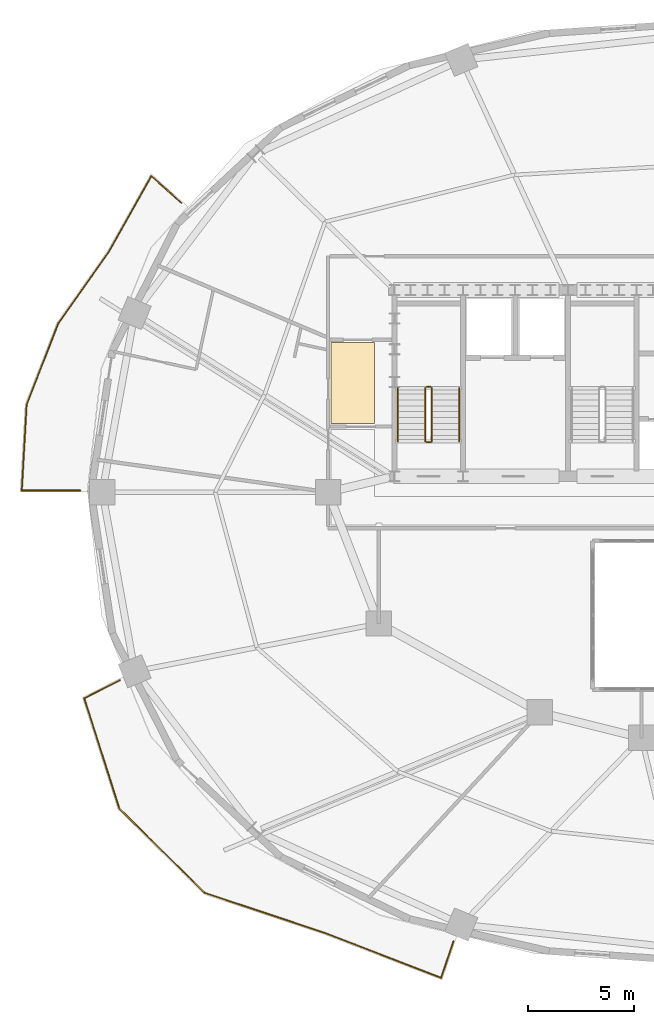
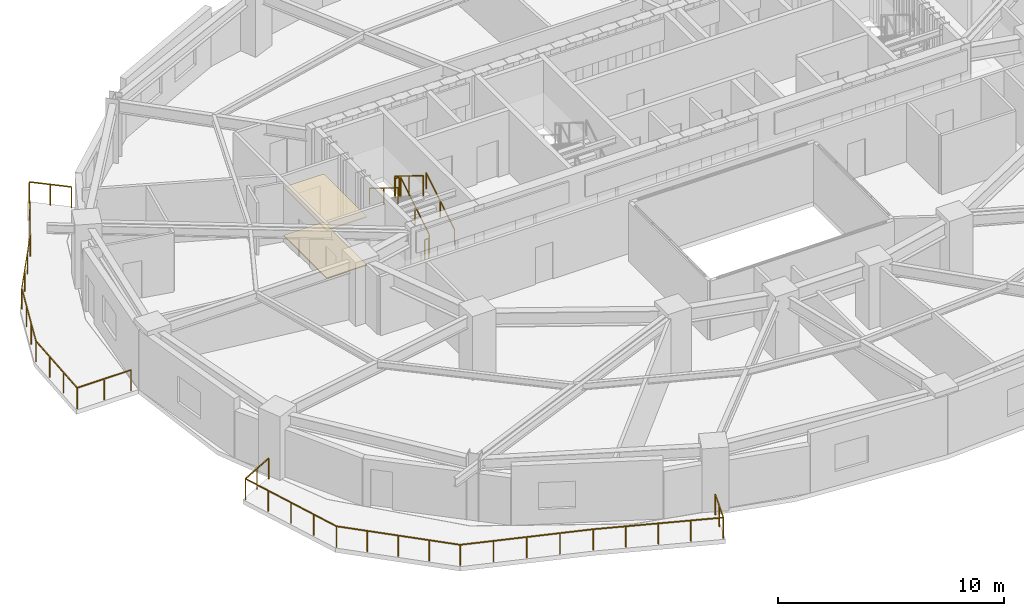
# One storey, part 10 of 13: 8 railings, 2 coverings.
"""IFC4 building model written with IfcOpenShell, lengths in metres."""

from ifc_helpers import new_model, si_unit, direction, frame, origin, origin_2d, place, context, subcontext, project, spatial, polyline, rectangle, outline, extrude, material, layer, layer_set, type_object, element, save


model = new_model("IFC4")

# Units and contexts
model_context = context("Model", 3, precision=1e-05, world=origin(), true_north=direction((0.0, 1.0)))
body_context = subcontext(model_context, "Body", "Model", "MODEL_VIEW")
ifc_project = project(units=[si_unit("LENGTHUNIT", "METRE"), si_unit("AREAUNIT", "SQUARE_METRE"), si_unit("VOLUMEUNIT", "CUBIC_METRE"), si_unit("PLANEANGLEUNIT", "RADIAN"), si_unit("MASSUNIT", "GRAM", prefix="KILO")], contexts=[model_context])

# Site, building, storey
site_placement = place(None, origin())
site = spatial("IfcSite", under=ifc_project, at=site_placement, CompositionType="ELEMENT")
building_placement = place(site_placement, origin())
building = spatial("IfcBuilding", under=site, at=building_placement, Name="Haldorwick Loom Tower", CompositionType="ELEMENT")
storey_placement = place(building_placement, frame((0.0, 0.0, 120.800048828125)))
storey = spatial("IfcBuildingStorey", under=building, at=storey_placement, Name="L32", CompositionType="ELEMENT", Elevation=120.800048828125)

# Coverings
ifc_material_1 = material(Name="Mineral Fibre Acoustic Ceiling Tile")
ifc_layer_1 = layer(ifc_material_1, 0.054931640625, Name="Mineral Fibre Acoustic Ceiling Tile")
ifc_layer_set_1 = layer_set([ifc_layer_1], Name="Mineral Fibre Acoustic Ceiling Tile")
covering_type_1 = type_object("IfcCoveringType", Name="ARC-COV-CEIL2", PredefinedType="CEILING", material=ifc_layer_set_1)
covering_1_placement = place(storey_placement, frame((0.0, 0.0, 2.594970703125)))
element("IfcCovering", 1, at=covering_1_placement, inside=storey, type_object=covering_type_1, Name="L32 Acoustic Suspended Ceiling 2", PredefinedType="CEILING", context=body_context, shape_type="SweptSolid", body=[
    extrude(outline(polyline([(21.0, 29.239990234375), (21.0, 33.06005859375), (18.93994140625, 33.06005859375), (18.93994140625, 29.239990234375), (21.0, 29.239990234375)])), origin(), (0.0, 0.0, 1.0), 0.054931640625),
])
ifc_material_2 = material(Name="Polished Aggregate Terrazzo Finish")
ifc_layer_2 = layer(ifc_material_2, 0.044921875, Name="Polished Aggregate Terrazzo Finish")
ifc_layer_set_2 = layer_set([ifc_layer_2], Name="Polished Aggregate Terrazzo Finish")
covering_type_2 = type_object("IfcCoveringType", Name="ARC-COV-FLOOR2", PredefinedType="FLOORING", material=ifc_layer_set_2)
covering_2_placement = place(storey_placement, origin())
element("IfcCovering", 2, at=covering_2_placement, inside=storey, type_object=covering_type_2, Name="L32 Floor Finish 2", PredefinedType="FLOORING", context=body_context, shape_type="SweptSolid", body=[
    extrude(outline(polyline([(21.0, 29.239990234375), (21.0, 33.06005859375), (18.93994140625, 33.06005859375), (18.93994140625, 29.239990234375), (21.0, 29.239990234375)])), origin(), (0.0, 0.0, 1.0), 0.044921875),
])

# Railings
ifc_material_3 = material(Name="Galvanized Steel CSA G40.21 350W", Category="steel")
railing_type_1 = type_object("IfcRailingType", Name="ARC-RLG-BAL115", PredefinedType="BALUSTRADE", material=ifc_material_3)
railing_1_placement = place(storey_placement, frame((24.726806640625, 4.806396484375, 0.0)))
element("IfcRailing", 3, at=railing_1_placement, inside=storey, type_object=railing_type_1, Name="L32 Outdoor Terrace Guardrail SLB-L32-BAL_SW-1", PredefinedType="BALUSTRADE", context=body_context, shape_type="SweptSolid", body=[
    extrude(rectangle(XDim=0.048095703125, YDim=0.048095703125, at=origin_2d()), frame((0.0, 0.0, 1.1259765625), z_axis=(-0.320417931945, -0.94727627907, 0.0), x_axis=(0.94727627907, -0.320417931945, 0.0)), (0.0, 0.0, 1.0), 1.833984375),
    extrude(rectangle(XDim=0.048095703125, YDim=0.048095703125, at=origin_2d()), frame((-0.587646484375, -1.7373046875, 1.1259765625), z_axis=(-0.932882459641, 0.360180949654, 0.0), x_axis=(-0.360180949654, -0.932882459641, 0.0)), (0.0, 0.0, 1.0), 5.838134765625),
    extrude(rectangle(XDim=0.048095703125, YDim=0.048095703125, at=origin_2d()), frame((-6.033935546875, 0.365478515625, 1.1259765625), z_axis=(-0.948683298051, 0.316227766017, 0.0), x_axis=(-0.316227766017, -0.948683298051, 0.0)), (0.0, 0.0, 1.0), 0.00390625),
    extrude(rectangle(XDim=0.048095703125, YDim=0.048095703125, at=origin_2d()), frame((-6.03759765625, 0.36669921875, 1.1259765625), z_axis=(-0.948504711831, 0.316763021254, 0.0), x_axis=(-0.316763021254, -0.948504711831, 0.0)), (0.0, 0.0, 1.0), 6.020263671875),
    extrude(rectangle(XDim=0.048095703125, YDim=0.048095703125, at=origin_2d()), frame((-11.747802734375, 2.273681640625, 1.1259765625), z_axis=(-0.711398400185, 0.702788955671, 0.0), x_axis=(-0.702788955671, -0.711398400185, 0.0)), (0.0, 0.0, 1.0), 5.67138671875),
    extrude(rectangle(XDim=0.048095703125, YDim=0.048095703125, at=origin_2d()), frame((-15.782470703125, 6.259521484375, 1.1259765625), z_axis=(-0.303362527598, 0.952875215781, 0.0), x_axis=(-0.952875215781, -0.303362527598, 0.0)), (0.0, 0.0, 1.0), 5.454833984375),
    extrude(rectangle(XDim=0.048095703125, YDim=0.048095703125, at=origin_2d()), frame((-17.437255859375, 11.457275390625, 1.1259765625), z_axis=(0.890778954109, 0.454436854708, 0.0), x_axis=(-0.454436854708, 0.890778954109, 0.0)), (0.0, 0.0, 1.0), 1.888916015625),
    extrude(rectangle(XDim=0.0419921875, YDim=0.0419921875, at=origin_2d()), origin(), (0.0, 0.0, 1.0), 1.101806640625),
    extrude(rectangle(XDim=0.0419921875, YDim=0.0419921875, at=origin_2d()), frame((-0.2939453125, -0.86865234375, 0.0)), (0.0, 0.0, 1.0), 1.101806640625),
    extrude(rectangle(XDim=0.0419921875, YDim=0.0419921875, at=origin_2d()), frame((-0.587646484375, -1.7373046875, 0.0)), (0.0, 0.0, 1.0), 1.101806640625),
    extrude(rectangle(XDim=0.0419921875, YDim=0.0419921875, at=origin_2d()), frame((-1.94921875, -1.211669921875, 0.0)), (0.0, 0.0, 1.0), 1.101806640625),
    extrude(rectangle(XDim=0.0419921875, YDim=0.0419921875, at=origin_2d()), frame((-3.310791015625, -0.68603515625, 0.0)), (0.0, 0.0, 1.0), 1.101806640625),
    extrude(rectangle(XDim=0.0419921875, YDim=0.0419921875, at=origin_2d()), frame((-4.67236328125, -0.16015625, 0.0)), (0.0, 0.0, 1.0), 1.101806640625),
    extrude(rectangle(XDim=0.0419921875, YDim=0.0419921875, at=origin_2d()), frame((-6.033935546875, 0.365478515625, 0.0)), (0.0, 0.0, 1.0), 1.101806640625),
    extrude(rectangle(XDim=0.0419921875, YDim=0.0419921875, at=origin_2d()), frame((-7.465087890625, 0.843505859375, 0.0)), (0.0, 0.0, 1.0), 1.101806640625),
    extrude(rectangle(XDim=0.0419921875, YDim=0.0419921875, at=origin_2d()), frame((-8.892578125, 1.3203125, 0.0)), (0.0, 0.0, 1.0), 1.101806640625),
    extrude(rectangle(XDim=0.0419921875, YDim=0.0419921875, at=origin_2d()), frame((-10.3203125, 1.796875, 0.0)), (0.0, 0.0, 1.0), 1.101806640625),
    extrude(rectangle(XDim=0.0419921875, YDim=0.0419921875, at=origin_2d()), frame((-11.747802734375, 2.273681640625, 0.0)), (0.0, 0.0, 1.0), 1.101806640625),
    extrude(rectangle(XDim=0.0419921875, YDim=0.0419921875, at=origin_2d()), frame((-12.75634765625, 3.27001953125, 0.0)), (0.0, 0.0, 1.0), 1.101806640625),
    extrude(rectangle(XDim=0.0419921875, YDim=0.0419921875, at=origin_2d()), frame((-13.76513671875, 4.2666015625, 0.0)), (0.0, 0.0, 1.0), 1.101806640625),
    extrude(rectangle(XDim=0.0419921875, YDim=0.0419921875, at=origin_2d()), frame((-14.77392578125, 5.26318359375, 0.0)), (0.0, 0.0, 1.0), 1.101806640625),
    extrude(rectangle(XDim=0.0419921875, YDim=0.0419921875, at=origin_2d()), frame((-15.782470703125, 6.259521484375, 0.0)), (0.0, 0.0, 1.0), 1.101806640625),
    extrude(rectangle(XDim=0.0419921875, YDim=0.0419921875, at=origin_2d()), frame((-16.1962890625, 7.55908203125, 0.0)), (0.0, 0.0, 1.0), 1.101806640625),
    extrude(rectangle(XDim=0.0419921875, YDim=0.0419921875, at=origin_2d()), frame((-16.60986328125, 8.8583984375, 0.0)), (0.0, 0.0, 1.0), 1.101806640625),
    extrude(rectangle(XDim=0.0419921875, YDim=0.0419921875, at=origin_2d()), frame((-17.0234375, 10.15771484375, 0.0)), (0.0, 0.0, 1.0), 1.101806640625),
    extrude(rectangle(XDim=0.0419921875, YDim=0.0419921875, at=origin_2d()), frame((-17.437255859375, 11.457275390625, 0.0)), (0.0, 0.0, 1.0), 1.101806640625),
    extrude(rectangle(XDim=0.0419921875, YDim=0.0419921875, at=origin_2d()), frame((-16.595947265625, 11.886474609375, 0.0)), (0.0, 0.0, 1.0), 1.101806640625),
    extrude(rectangle(XDim=0.0419921875, YDim=0.0419921875, at=origin_2d()), frame((-15.754638671875, 12.315673828125, 0.0)), (0.0, 0.0, 1.0), 1.101806640625),
])
railing_2_placement = place(storey_placement, frame((7.09912109375, 26.080078125, 0.0)))
element("IfcRailing", 4, at=railing_2_placement, inside=storey, type_object=railing_type_1, Name="L32 Outdoor Terrace Guardrail SLB-L32-BAL_WNW-1", PredefinedType="BALUSTRADE", context=body_context, shape_type="SweptSolid", body=[
    extrude(rectangle(XDim=0.048095703125, YDim=0.048095703125, at=origin_2d()), frame((0.0, 0.0, 1.1259765625), z_axis=(-1.0, 0.0, 0.0), x_axis=(0.0, -1.0, 0.0)), (0.0, 0.0, 1.0), 2.760498046875),
    extrude(rectangle(XDim=0.048095703125, YDim=0.048095703125, at=origin_2d()), frame((-2.760498046875, 0.0, 1.1259765625), z_axis=(0.056246298958, 0.998416923862, 0.0), x_axis=(-0.998416923862, 0.056246298958, 0.0)), (0.0, 0.0, 1.0), 4.058349609375),
    extrude(rectangle(XDim=0.048095703125, YDim=0.048095703125, at=origin_2d()), frame((-2.5322265625, 4.052001953125, 1.1259765625), z_axis=(0.362738037481, 0.931891150384, 0.0), x_axis=(-0.931891150384, 0.362738037481, 0.0)), (0.0, 0.0, 1.0), 4.118408203125),
    extrude(rectangle(XDim=0.048095703125, YDim=0.048095703125, at=origin_2d()), frame((-1.038330078125, 7.889892578125, 1.1259765625), z_axis=(0.57677905745, 0.81690018906, 0.0), x_axis=(-0.81690018906, 0.57677905745, 0.0)), (0.0, 0.0, 1.0), 4.099609375),
    extrude(rectangle(XDim=0.048095703125, YDim=0.048095703125, at=origin_2d()), frame((1.326171875, 11.23876953125, 1.1259765625), z_axis=(0.540757591313, 0.841178475377, 0.0), x_axis=(-0.841178475377, 0.540757591313, 0.0)), (0.0, 0.0, 1.0), 0.008056640625),
    extrude(rectangle(XDim=0.048095703125, YDim=0.048095703125, at=origin_2d()), frame((1.33056640625, 11.24560546875, 1.1259765625), z_axis=(0.491360253455, 0.870956429062, 0.0), x_axis=(-0.870956429062, 0.491360253455, 0.0)), (0.0, 0.0, 1.0), 4.133056640625),
    extrude(rectangle(XDim=0.048095703125, YDim=0.048095703125, at=origin_2d()), frame((3.361328125, 14.84521484375, 1.1259765625), z_axis=(0.745860425013, -0.66610226422, 0.0), x_axis=(0.66610226422, 0.745860425013, 0.0)), (0.0, 0.0, 1.0), 1.906982421875),
    extrude(rectangle(XDim=0.0419921875, YDim=0.0419921875, at=origin_2d()), origin(), (0.0, 0.0, 1.0), 1.101806640625),
    extrude(rectangle(XDim=0.0419921875, YDim=0.0419921875, at=origin_2d()), frame((-1.38037109375, 0.0, 0.0)), (0.0, 0.0, 1.0), 1.101806640625),
    extrude(rectangle(XDim=0.0419921875, YDim=0.0419921875, at=origin_2d()), frame((-2.760498046875, 0.0, 0.0)), (0.0, 0.0, 1.0), 1.101806640625),
    extrude(rectangle(XDim=0.0419921875, YDim=0.0419921875, at=origin_2d()), frame((-2.684326171875, 1.3505859375, 0.0)), (0.0, 0.0, 1.0), 1.101806640625),
    extrude(rectangle(XDim=0.0419921875, YDim=0.0419921875, at=origin_2d()), frame((-2.6083984375, 2.701416015625, 0.0)), (0.0, 0.0, 1.0), 1.101806640625),
    extrude(rectangle(XDim=0.0419921875, YDim=0.0419921875, at=origin_2d()), frame((-2.5322265625, 4.052001953125, 0.0)), (0.0, 0.0, 1.0), 1.101806640625),
    extrude(rectangle(XDim=0.0419921875, YDim=0.0419921875, at=origin_2d()), frame((-2.0341796875, 5.331298828125, 0.0)), (0.0, 0.0, 1.0), 1.101806640625),
    extrude(rectangle(XDim=0.0419921875, YDim=0.0419921875, at=origin_2d()), frame((-1.536376953125, 6.610595703125, 0.0)), (0.0, 0.0, 1.0), 1.101806640625),
    extrude(rectangle(XDim=0.0419921875, YDim=0.0419921875, at=origin_2d()), frame((-1.038330078125, 7.889892578125, 0.0)), (0.0, 0.0, 1.0), 1.101806640625),
    extrude(rectangle(XDim=0.0419921875, YDim=0.0419921875, at=origin_2d()), frame((-0.250244140625, 9.006103515625, 0.0)), (0.0, 0.0, 1.0), 1.101806640625),
    extrude(rectangle(XDim=0.0419921875, YDim=0.0419921875, at=origin_2d()), frame((0.5380859375, 10.12255859375, 0.0)), (0.0, 0.0, 1.0), 1.101806640625),
    extrude(rectangle(XDim=0.0419921875, YDim=0.0419921875, at=origin_2d()), frame((1.326171875, 11.23876953125, 0.0)), (0.0, 0.0, 1.0), 1.101806640625),
    extrude(rectangle(XDim=0.0419921875, YDim=0.0419921875, at=origin_2d()), frame((2.007568359375, 12.445556640625, 0.0)), (0.0, 0.0, 1.0), 1.101806640625),
    extrude(rectangle(XDim=0.0419921875, YDim=0.0419921875, at=origin_2d()), frame((2.684326171875, 13.645263671875, 0.0)), (0.0, 0.0, 1.0), 1.101806640625),
    extrude(rectangle(XDim=0.0419921875, YDim=0.0419921875, at=origin_2d()), frame((3.361328125, 14.84521484375, 0.0)), (0.0, 0.0, 1.0), 1.101806640625),
    extrude(rectangle(XDim=0.0419921875, YDim=0.0419921875, at=origin_2d()), frame((4.072509765625, 14.2099609375, 0.0)), (0.0, 0.0, 1.0), 1.101806640625),
    extrude(rectangle(XDim=0.0419921875, YDim=0.0419921875, at=origin_2d()), frame((4.78369140625, 13.574951171875, 0.0)), (0.0, 0.0, 1.0), 1.101806640625),
])
ifc_material_4 = material(Name="Steel CSA G40.21 350W", Category="steel")
railing_type_2 = type_object("IfcRailingType", Name="ARC-RLG-GUARD112", PredefinedType="GUARDRAIL", material=ifc_material_4)
railing_3_placement = place(storey_placement, frame((23.699951171875, 28.39990234375, 0.17236328125)))
element("IfcRailing", 5, at=railing_3_placement, inside=storey, type_object=railing_type_2, Name="L32 ST-01 stair guard 1", PredefinedType="GUARDRAIL", context=body_context, shape_type="SweptSolid", body=[
    extrude(rectangle(XDim=0.048095703125, YDim=0.048095703125, at=origin_2d()), frame((0.0, 0.0, 1.076171875), z_axis=(0.0, 0.851400495292, 0.524516154772), x_axis=(-1.0, 0.0, 0.0)), (0.0, 0.0, 1.0), 2.9599609375),
    extrude(rectangle(XDim=0.0419921875, YDim=0.0419921875, at=origin_2d()), origin(), (0.0, 0.0, 1.0), 1.052001953125),
    extrude(rectangle(XDim=0.0419921875, YDim=0.0419921875, at=origin_2d()), frame((0.0, 1.260009765625, 0.7763671875)), (0.0, 0.0, 1.0), 1.052001953125),
    extrude(rectangle(XDim=0.0419921875, YDim=0.0419921875, at=origin_2d()), frame((0.0, 2.52001953125, 1.552490234375)), (0.0, 0.0, 1.0), 1.052001953125),
])
railing_4_placement = place(storey_placement, frame((23.64990234375, 30.969970703125, 1.724853515625)))
element("IfcRailing", 6, at=railing_4_placement, inside=storey, type_object=railing_type_2, Name="L32 ST-01 stair guard 2", PredefinedType="GUARDRAIL", context=body_context, shape_type="SweptSolid", body=[
    extrude(rectangle(XDim=0.048095703125, YDim=0.048095703125, at=origin_2d()), frame((0.0, 0.0, 1.076171875), z_axis=(-1.0, 0.0, 0.0), x_axis=(0.0, -1.0, 0.0)), (0.0, 0.0, 1.0), 0.199951171875),
    extrude(rectangle(XDim=0.0419921875, YDim=0.0419921875, at=origin_2d()), origin(), (0.0, 0.0, 1.0), 1.052001953125),
    extrude(rectangle(XDim=0.0419921875, YDim=0.0419921875, at=origin_2d()), frame((-0.199951171875, 0.0, 0.0)), (0.0, 0.0, 1.0), 1.052001953125),
])
railing_5_placement = place(storey_placement, frame((23.39990234375, 30.919921875, 1.8974609375)))
element("IfcRailing", 7, at=railing_5_placement, inside=storey, type_object=railing_type_2, Name="L32 ST-01 stair guard 3", PredefinedType="GUARDRAIL", context=body_context, shape_type="SweptSolid", body=[
    extrude(rectangle(XDim=0.048095703125, YDim=0.048095703125, at=origin_2d()), frame((0.0, 0.0, 1.076171875), z_axis=(0.0, -0.851400495292, 0.524516154772), x_axis=(1.0, 0.0, 0.0)), (0.0, 0.0, 1.0), 2.9599609375),
    extrude(rectangle(XDim=0.0419921875, YDim=0.0419921875, at=origin_2d()), origin(), (0.0, 0.0, 1.0), 1.052001953125),
    extrude(rectangle(XDim=0.0419921875, YDim=0.0419921875, at=origin_2d()), frame((0.0, -1.260009765625, 0.7763671875)), (0.0, 0.0, 1.0), 1.052001953125),
    extrude(rectangle(XDim=0.0419921875, YDim=0.0419921875, at=origin_2d()), frame((0.0, -2.52001953125, 1.552490234375)), (0.0, 0.0, 1.0), 1.052001953125),
])
railing_6_placement = place(storey_placement, frame((23.64990234375, 28.35009765625, 0.0)))
element("IfcRailing", 8, at=railing_6_placement, inside=storey, type_object=railing_type_2, Name="L32 ST-01 stair guard 4", PredefinedType="GUARDRAIL", context=body_context, shape_type="SweptSolid", body=[
    extrude(rectangle(XDim=0.048095703125, YDim=0.048095703125, at=origin_2d()), frame((0.0, 0.0, 1.076171875), z_axis=(-1.0, 0.0, 0.0), x_axis=(0.0, -1.0, 0.0)), (0.0, 0.0, 1.0), 0.199951171875),
    extrude(rectangle(XDim=0.0419921875, YDim=0.0419921875, at=origin_2d()), origin(), (0.0, 0.0, 1.0), 1.052001953125),
    extrude(rectangle(XDim=0.0419921875, YDim=0.0419921875, at=origin_2d()), frame((-0.199951171875, 0.0, 0.0)), (0.0, 0.0, 1.0), 1.052001953125),
])
railing_type_3 = type_object("IfcRailingType", Name="ARC-RLG-HAND092", PredefinedType="HANDRAIL", material=ifc_material_4)
railing_7_placement = place(storey_placement, frame((25.0, 28.39990234375, 0.17236328125)))
element("IfcRailing", 9, at=railing_7_placement, inside=storey, type_object=railing_type_3, Name="L32 ST-01 stair handrail 1", PredefinedType="HANDRAIL", context=body_context, shape_type="SweptSolid", body=[
    extrude(rectangle(XDim=0.048095703125, YDim=0.048095703125, at=origin_2d()), frame((0.0, 0.0, 0.8759765625), z_axis=(0.0, 0.851400495292, 0.524516154772), x_axis=(-1.0, 0.0, 0.0)), (0.0, 0.0, 1.0), 2.9599609375),
    extrude(rectangle(XDim=0.0419921875, YDim=0.0419921875, at=origin_2d()), origin(), (0.0, 0.0, 1.0), 0.851806640625),
    extrude(rectangle(XDim=0.0419921875, YDim=0.0419921875, at=origin_2d()), frame((0.0, 1.260009765625, 0.7763671875)), (0.0, 0.0, 1.0), 0.851806640625),
    extrude(rectangle(XDim=0.0419921875, YDim=0.0419921875, at=origin_2d()), frame((0.0, 2.52001953125, 1.552490234375)), (0.0, 0.0, 1.0), 0.851806640625),
])
railing_8_placement = place(storey_placement, frame((22.10009765625, 30.919921875, 1.8974609375)))
element("IfcRailing", 10, at=railing_8_placement, inside=storey, type_object=railing_type_3, Name="L32 ST-01 stair handrail 2", PredefinedType="HANDRAIL", context=body_context, shape_type="SweptSolid", body=[
    extrude(rectangle(XDim=0.048095703125, YDim=0.048095703125, at=origin_2d()), frame((0.0, 0.0, 0.8759765625), z_axis=(0.0, -0.851400495292, 0.524516154772), x_axis=(1.0, 0.0, 0.0)), (0.0, 0.0, 1.0), 2.9599609375),
    extrude(rectangle(XDim=0.0419921875, YDim=0.0419921875, at=origin_2d()), origin(), (0.0, 0.0, 1.0), 0.851806640625),
    extrude(rectangle(XDim=0.0419921875, YDim=0.0419921875, at=origin_2d()), frame((0.0, -1.260009765625, 0.7763671875)), (0.0, 0.0, 1.0), 0.851806640625),
    extrude(rectangle(XDim=0.0419921875, YDim=0.0419921875, at=origin_2d()), frame((0.0, -2.52001953125, 1.552490234375)), (0.0, 0.0, 1.0), 0.851806640625),
])

save(model, "model.ifc")
